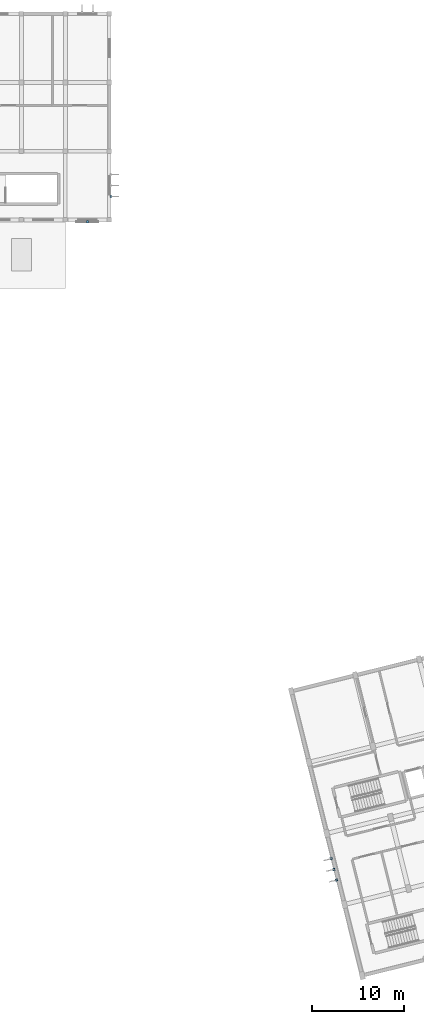
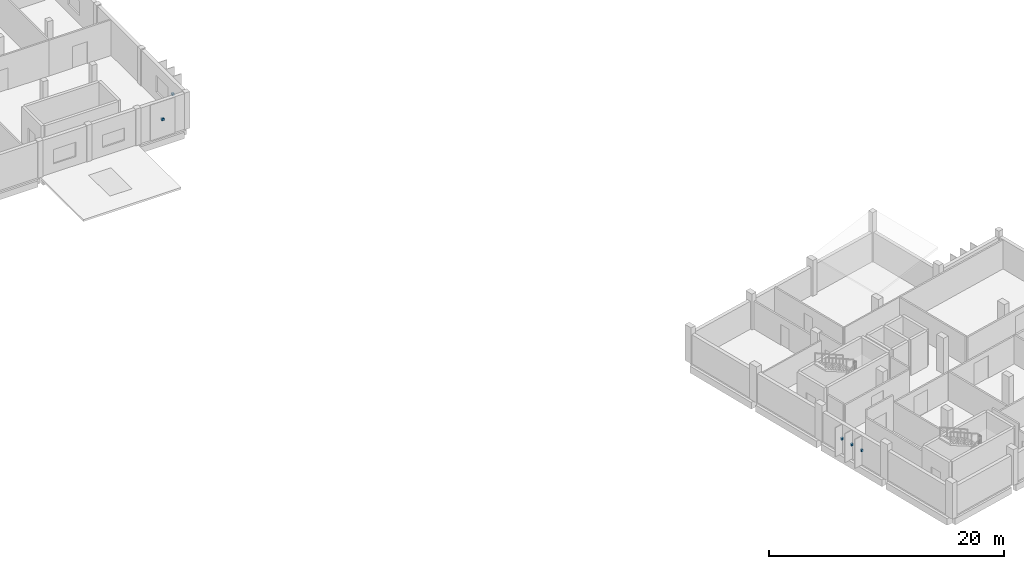
# One storey, part 14 of 21: 5 discrete accessories.
"""IFC4 building model written with IfcOpenShell, lengths in metres."""

from ifc_helpers import new_model, si_unit, direction, frame, origin, origin_2d, place, context, subcontext, project, spatial, rectangle, extrude, material, layer, layer_set, type_object, element, save


model = new_model("IFC4")

# Units and contexts
model_context = context("Model", 3, precision=1e-05, world=origin(), true_north=direction((0.0, 1.0)))
body_context = subcontext(model_context, "Body", "Model", "MODEL_VIEW")
ifc_project = project(units=[si_unit("LENGTHUNIT", "METRE"), si_unit("AREAUNIT", "SQUARE_METRE"), si_unit("VOLUMEUNIT", "CUBIC_METRE"), si_unit("PLANEANGLEUNIT", "RADIAN"), si_unit("MASSUNIT", "GRAM", prefix="KILO")], contexts=[model_context])

# Site, building, storey
site_placement = place(None, origin())
site = spatial("IfcSite", under=ifc_project, at=site_placement, CompositionType="ELEMENT")
building_placement = place(site_placement, origin())
building = spatial("IfcBuilding", under=site, at=building_placement, Name="Mawjan Specialist Oncology Clinic", CompositionType="ELEMENT")
storey_placement = place(building_placement, frame((0.0, 0.0, 13.5)))
storey = spatial("IfcBuildingStorey", under=building, at=storey_placement, Name="L03", CompositionType="ELEMENT", Elevation=13.5)

# Discrete accessories
ifc_material = material(Name="Structural steel S355", Category="steel")
ifc_layer = layer(ifc_material, 0.219970703125, Name="Structural steel S355", Category="steel")
ifc_layer_set = layer_set([ifc_layer], Name="Structural steel S355")
discrete_accessory_type = type_object("IfcDiscreteAccessoryType", Name="BRK-S355", PredefinedType="BRACKET", material=ifc_layer_set)
for number, where, z_axis, x_axis, name in (
    (1, (123.197998046875, 11.23193359375, 1.392578125), (0.0, 0.0, 1.0), (-0.2419218956, 0.970295726276, 0.0), "Solar Fin Mounting Bracket 70"),
    (2, (122.90771484375, 12.396484375, 1.392578125), (0.0, 0.0, 1.0), (-0.2419218956, 0.970295726276, 0.0), "Solar Fin Mounting Bracket 71"),
    (3, (122.617431640625, 13.560791015625, 1.392578125), (0.0, 0.0, 1.0), (-0.2419218956, 0.970295726276, 0.0), "Solar Fin Mounting Bracket 72"),
    (4, (98.594970703125, 85.85009765625, 1.740234375), (0.0, 0.0, 1.0), (0.0, -1.0, 0.0), "Solar Fin Mounting Bracket 83"),
):
    element("IfcDiscreteAccessory", number, at=place(storey_placement, frame(where, z_axis=z_axis, x_axis=x_axis)), inside=storey, type_object=discrete_accessory_type, Name=name, PredefinedType="BRACKET", context=body_context, shape_type="SweptSolid", body=[
        extrude(rectangle(XDim=0.219970703125, YDim=0.219970703125, at=origin_2d()), origin(), (0.0, 0.0, 1.0), 0.219970703125),
    ])
discrete_accessory_placement = place(storey_placement, frame((96.0, 83.10498046875, 1.740234375), z_axis=(0.0, 0.0, 1.0), x_axis=(-1.0, 0.0, 0.0)))
element("IfcDiscreteAccessory", 5, at=discrete_accessory_placement, inside=storey, type_object=discrete_accessory_type, Name="Rawshan Screen Mounting Bracket 84", PredefinedType="BRACKET", context=body_context, shape_type="SweptSolid", body=[
    extrude(rectangle(XDim=0.239990234375, YDim=0.239990234375, at=origin_2d()), origin(), (0.0, 0.0, 1.0), 0.219970703125),
])

save(model, "model.ifc")
